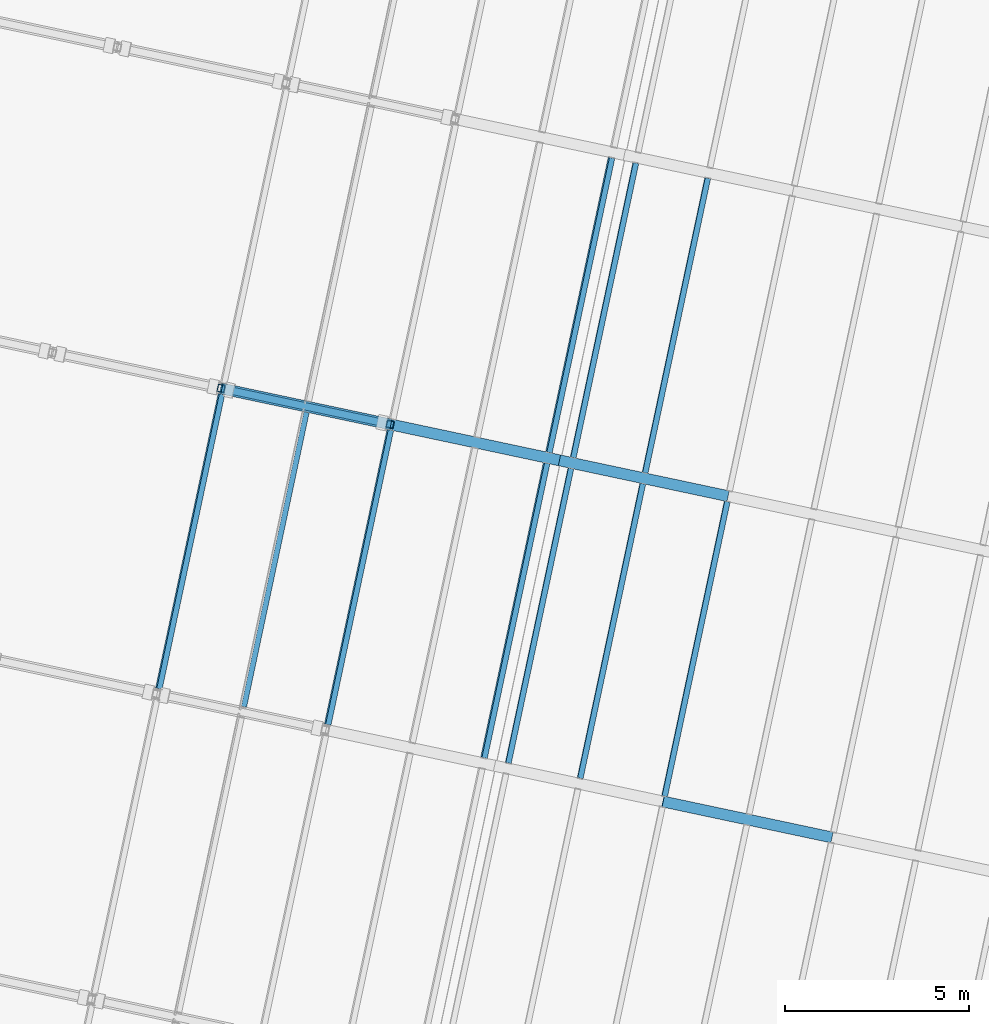
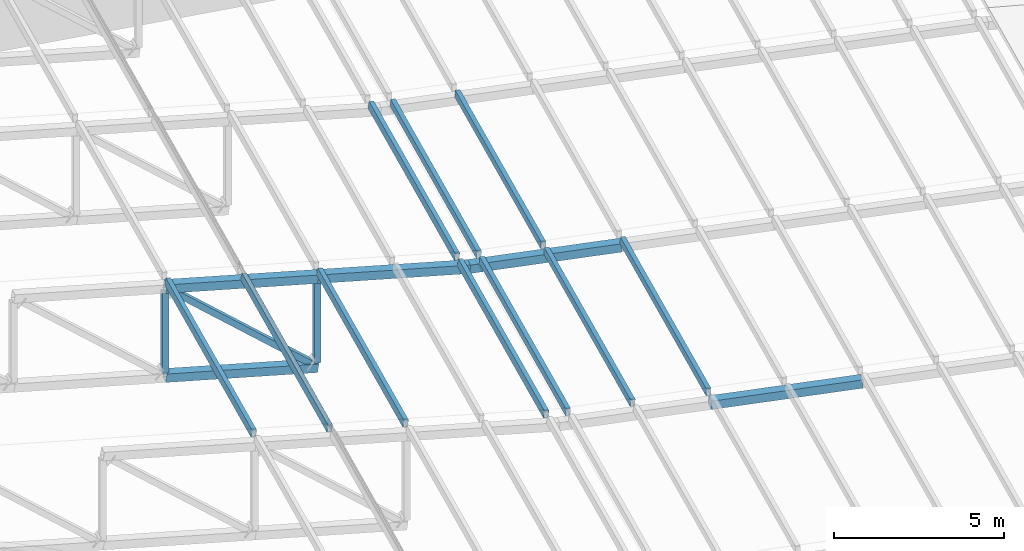
# One storey, part 53 of 196: 18 members.
"""IFC4 building model written with IfcOpenShell, lengths in metres."""

import ifcopenshell
import ifcopenshell.guid

model = None  # the IFC model being written
_history = None  # IfcOwnerHistory: only IFC2X3 demands one
_inside = {}  # id of a spatial element -> (the spatial element, [elements in it])
_under = {}  # id of a project, library or spatial element -> (it, [spatial elements below it])
_declared = {}  # id of a project -> (the project, [libraries it declares])
_typed = {}  # id of a type object -> (the type object, [elements of that type])
_made_of = {}  # id of a material, layer set ... -> (it, [elements and type objects made of it])


def new_model(schema):
    """Start an empty IFC model of exactly this schema.

    Asked for "IFC4X3", IfcOpenShell would pick the latest addendum, in which some entities
    have other attributes; the version numbers below select the first issue.
    IFC2X3 requires an IfcOwnerHistory on every rooted entity: one is made here for all.
    """
    global model, _history
    if schema == "IFC4X3":
        model = ifcopenshell.file(schema_version=(4, 3, 0, 0))
    else:
        model = ifcopenshell.file(schema=schema)
    _inside.clear()
    _under.clear()
    _declared.clear()
    _typed.clear()
    _made_of.clear()
    _history = None
    if model.schema == "IFC2X3":
        org = make("IfcOrganization", Name="unknown")
        user = make(
            "IfcPersonAndOrganization",
            ThePerson=make("IfcPerson", FamilyName="unknown"),
            TheOrganization=org,
        )
        app = make(
            "IfcApplication",
            ApplicationDeveloper=org,
            Version="unknown",
            ApplicationFullName="unknown",
            ApplicationIdentifier="unknown",
        )
        _history = make(
            "IfcOwnerHistory",
            OwningUser=user,
            OwningApplication=app,
            ChangeAction="ADDED",
            CreationDate=0,
        )
    return model


def make(cls, **values):
    """One entity of the class cls with the attributes given. An attribute that is None is left unset."""
    return model.create_entity(
        cls, **{name: value for name, value in values.items() if value is not None}
    )


def rooted(cls, **values):
    """An entity with a GlobalId (a new one), such as an element, a storey or a relation."""
    return make(cls, GlobalId=ifcopenshell.guid.new(), OwnerHistory=_history, **values)


def si_unit(unit_type, name, prefix=None):
    """IfcSIUnit, for example si_unit("LENGTHUNIT", "METRE", prefix="MILLI")."""
    return make("IfcSIUnit", UnitType=unit_type, Prefix=prefix, Name=name)


def assignment(units):
    """IfcUnitAssignment: the units of a project."""
    return None if units is None else make("IfcUnitAssignment", Units=units)


def point(xyz):
    """IfcCartesianPoint."""
    return None if xyz is None else make("IfcCartesianPoint", Coordinates=xyz)


def direction(xyz):
    """IfcDirection."""
    return None if xyz is None else make("IfcDirection", DirectionRatios=xyz)


def frame(location, z_axis=None, x_axis=None):
    """IfcAxis2Placement3D, a coordinate frame: its origin and axes. An axis left out is left unset."""
    return make(
        "IfcAxis2Placement3D",
        Location=point(location),
        Axis=direction(z_axis),
        RefDirection=direction(x_axis),
    )


def frame_2d(location, x_axis=None):
    """IfcAxis2Placement2D, a coordinate frame in the plane: its origin and x axis."""
    return make(
        "IfcAxis2Placement2D", Location=point(location), RefDirection=direction(x_axis)
    )


def origin():
    """The frame at (0, 0, 0) with its axes left unset."""
    return frame((0.0, 0.0, 0.0))


def origin_2d():
    """The frame at (0, 0) in the plane with its x axis left unset."""
    return frame_2d((0.0, 0.0))


def place(relative_to, where):
    """IfcLocalPlacement: puts the frame where relative to a parent placement (None: the world)."""
    return make(
        "IfcLocalPlacement", PlacementRelTo=relative_to, RelativePlacement=where
    )


def context(
    kind, dimensions, precision=None, world=None, true_north=None, identifier=None
):
    """IfcGeometricRepresentationContext, for example the 3D "Model" context."""
    return make(
        "IfcGeometricRepresentationContext",
        ContextIdentifier=identifier,
        ContextType=kind,
        CoordinateSpaceDimension=dimensions,
        Precision=precision,
        WorldCoordinateSystem=world,
        TrueNorth=true_north,
    )


def subcontext(parent, identifier, kind, view, scale=None):
    """IfcGeometricRepresentationSubContext, for example "Body" below "Model"."""
    return make(
        "IfcGeometricRepresentationSubContext",
        ContextIdentifier=identifier,
        ContextType=kind,
        ParentContext=parent,
        TargetScale=scale,
        TargetView=view,
    )


def project(units=None, contexts=None):
    """IfcProject with its units and contexts."""
    return rooted(
        "IfcProject",
        Name="project",
        RepresentationContexts=contexts,
        UnitsInContext=assignment(units),
    )


def spatial(cls, under=None, at=None, **own):
    """A site, building, storey or space (cls), placed at a placement, below another one or the project."""
    s = rooted(cls, ObjectPlacement=at, **own)
    if under is not None:
        _under.setdefault(under.id(), (under, []))[1].append(s)
    return s


def profile(cls, at=None, kind="AREA", **sizes):
    """A parametric profile (cls). Its sizes go by their IFC names, for example OverallWidth=200.0."""
    return make(cls, ProfileType=kind, Position=at, **sizes)


def hollow_rectangle(**sizes):
    """IfcRectangleHollowProfileDef."""
    return profile("IfcRectangleHollowProfileDef", **sizes)


def extrude(swept, where, along, depth):
    """IfcExtrudedAreaSolid: the profile swept, set in the frame where, extruded along a direction by depth."""
    return make(
        "IfcExtrudedAreaSolid",
        SweptArea=swept,
        Position=where,
        ExtrudedDirection=direction(along),
        Depth=depth,
    )


def shape(context_of_items, identifier, shape_type, items):
    """IfcShapeRepresentation: the items that make up one representation, for example the "Body"."""
    return make(
        "IfcShapeRepresentation",
        ContextOfItems=context_of_items,
        RepresentationIdentifier=identifier,
        RepresentationType=shape_type,
        Items=items,
    )


def material(Name=None, Category=None):
    """IfcMaterial."""
    return make("IfcMaterial", Name=Name, Category=Category)


def material_profile(
    of_material, cross_section, Name=None, Category=None, Priority=None
):
    """IfcMaterialProfile: a cross section and its material."""
    return make(
        "IfcMaterialProfile",
        Name=Name,
        Material=of_material,
        Profile=cross_section,
        Priority=Priority,
        Category=Category,
    )


def profile_set(profiles, Name=None, composite=None):
    """IfcMaterialProfileSet."""
    return make(
        "IfcMaterialProfileSet",
        Name=Name,
        MaterialProfiles=profiles,
        CompositeProfile=composite,
    )


def made_of(thing, what):
    """Note that an element or type object is made of a material, layer set ...; save() writes the relation."""
    if what is not None:
        _made_of.setdefault(what.id(), (what, []))[1].append(thing)
    return thing


def type_object(cls, material=None, **own):
    """A type object (cls), such as IfcWallType, which elements share."""
    return made_of(rooted(cls, **own), material)


def element(
    cls,
    number,
    at=None,
    inside=None,
    cuts=None,
    type_object=None,
    material=None,
    context=None,
    identifier="Body",
    shape_type=None,
    held_by="IfcProductDefinitionShape",
    body=None,
    shapes=None,
    **own,
):
    """One element of the class cls, such as IfcWall. Its Tag is "e" and its number.

    at: its placement. inside: the storey or other place that contains it. cuts: it is an
    opening in that element (IfcRelVoidsElement). A single representation is given by context,
    identifier, shape_type and body (its items); several are given by shapes. held_by: the class
    of the entity that holds the representations. save() writes the other relations.
    """
    e = rooted(cls, Tag="e%d" % number, ObjectPlacement=at, **own)
    if body is not None:
        shapes = [shape(context, identifier, shape_type, body)]
    if shapes is not None:
        e.Representation = make(held_by, Representations=shapes)
    if inside is not None:
        _inside.setdefault(inside.id(), (inside, []))[1].append(e)
    if cuts is not None:
        rooted(
            "IfcRelVoidsElement", RelatingBuildingElement=cuts, RelatedOpeningElement=e
        )
    if type_object is not None:
        _typed.setdefault(type_object.id(), (type_object, []))[1].append(e)
    return made_of(e, material)


def aggregate(whole, parts):
    """IfcRelAggregates: a whole, such as a stair, and the parts it consists of."""
    return rooted("IfcRelAggregates", RelatingObject=whole, RelatedObjects=parts)


def save(model, path):
    """Write the relations noted so far, then the file.

    IfcRelAggregates (storeys below a building ...), IfcRelContainedInSpatialStructure (elements
    in a storey), IfcRelDefinesByType, IfcRelAssociatesMaterial and IfcRelDeclares: one each for
    every whole, place, type object, material and project.
    """
    for whole, parts in _under.values():
        aggregate(whole, parts)
    for where, things in _inside.values():
        rooted(
            "IfcRelContainedInSpatialStructure",
            RelatedElements=things,
            RelatingStructure=where,
        )
    for kind, things in _typed.values():
        rooted("IfcRelDefinesByType", RelatedObjects=things, RelatingType=kind)
    for what, things in _made_of.values():
        rooted("IfcRelAssociatesMaterial", RelatedObjects=things, RelatingMaterial=what)
    for by, libraries in _declared.values():
        rooted("IfcRelDeclares", RelatingContext=by, RelatedDefinitions=libraries)
    model.write(path)


model = new_model("IFC4")

# Units and contexts
model_context = context("Model", 3, precision=1e-05, world=origin(), true_north=direction((0.0, 1.0)))
body_context = subcontext(model_context, "Body", "Model", "MODEL_VIEW")
ifc_project = project(units=[si_unit("LENGTHUNIT", "METRE"), si_unit("AREAUNIT", "SQUARE_METRE"), si_unit("VOLUMEUNIT", "CUBIC_METRE"), si_unit("PLANEANGLEUNIT", "RADIAN"), si_unit("MASSUNIT", "GRAM", prefix="KILO")], contexts=[model_context])

# Site, building, storey
site_placement = place(None, origin())
site = spatial("IfcSite", under=ifc_project, at=site_placement, CompositionType="ELEMENT")
building_placement = place(site_placement, origin())
building = spatial("IfcBuilding", under=site, at=building_placement, Name="Okhra Congress Centre", CompositionType="ELEMENT")
storey_placement = place(building_placement, frame((0.0, 0.0, 12.0)))
storey = spatial("IfcBuildingStorey", under=building, at=storey_placement, Name="L02", CompositionType="ELEMENT", Elevation=12.0)

# Members
ifc_material = material(Name="Steel S355J2", Category="steel")
ifc_material_profile_1 = material_profile(ifc_material, hollow_rectangle(XDim=0.14990234375, YDim=0.25, WallThickness=0.008056640625, at=origin_2d()), Name="RHS 250x150x8")
ifc_profile_set_1 = profile_set([ifc_material_profile_1], Name="Steel S355J2")
member_type_1 = type_object("IfcMemberType", Name="Steel roof purlin RHS 250x150x8", PredefinedType="PURLIN", material=ifc_profile_set_1)
member_1_placement = place(storey_placement, frame((212.747314453125, 110.487060546875, 4.537109375), z_axis=(0.207930682682, 0.978143563696, 0.0), x_axis=(-0.968624337773, 0.205907115572, 0.13917310096)))
element("IfcMember", 1, at=member_1_placement, inside=storey, type_object=member_type_1, Name="Roof purlin 3.5", PredefinedType="PURLIN", context=body_context, shape_type="SweptSolid", body=[
    extrude(hollow_rectangle(XDim=0.14990234375, YDim=0.25, WallThickness=0.008056640625, at=origin_2d()), origin(), (0.0, 0.0, 1.0), 8.2001953125),
])
for number, where, z_axis, x_axis, name in (
    (2, (215.046142578125, 109.99853515625, 4.206787109375), (0.207908251916, 0.978148331689, 0.0), (-0.968629059364, 0.2058849031, 0.13917310096), "Roof purlin 3.6"),
    (3, (217.3447265625, 109.510009765625, 3.87646484375), (0.207908251916, 0.978148331689, 0.0), (-0.968629059364, 0.2058849031, 0.13917310096), "Roof purlin 3.7"),
    (4, (221.599609375, 108.60546875, 3.26513671875), (0.207908251916, 0.978148331689, 0.0), (-0.968629059364, 0.2058849031, 0.13917310096), "Roof purlin 3.9"),
):
    element("IfcMember", number, at=place(storey_placement, frame(where, z_axis=z_axis, x_axis=x_axis)), inside=storey, type_object=member_type_1, Name=name, PredefinedType="PURLIN", context=body_context, shape_type="SweptSolid", body=[
        extrude(hollow_rectangle(XDim=0.14990234375, YDim=0.25, WallThickness=0.008056640625, at=origin_2d()), origin(), (0.0, 0.0, 1.0), 8.199951171875),
    ])
member_2_placement = place(storey_placement, frame((222.260986328125, 108.46484375, 3.199951171875), z_axis=(0.2079021972, 0.978149618616, 0.0), x_axis=(-0.976809098559, 0.207617274464, 0.052335956243)))
element("IfcMember", 5, at=member_2_placement, inside=storey, type_object=member_type_1, Name="Roof purlin 3.10", PredefinedType="PURLIN", context=body_context, shape_type="SweptSolid", body=[
    extrude(hollow_rectangle(XDim=0.14990234375, YDim=0.25, WallThickness=0.008056640625, at=origin_2d()), origin(), (0.0, 0.0, 1.0), 8.2001953125),
])
for number, where, z_axis, x_axis, name in (
    (6, (224.21728515625, 108.049072265625, 3.094970703125), (0.207908251916, 0.978148331689, 0.0), (-0.976807813395, 0.207623320882, 0.052335956243), "Roof purlin 3.11"),
    (7, (226.515869140625, 107.560546875, 2.971923828125), (0.207908251916, 0.978148331689, 0.0), (-0.976807813395, 0.207623320882, 0.052335956243), "Roof purlin 3.12"),
):
    element("IfcMember", number, at=place(storey_placement, frame(where, z_axis=z_axis, x_axis=x_axis)), inside=storey, type_object=member_type_1, Name=name, PredefinedType="PURLIN", context=body_context, shape_type="SweptSolid", body=[
        extrude(hollow_rectangle(XDim=0.14990234375, YDim=0.25, WallThickness=0.008056640625, at=origin_2d()), origin(), (0.0, 0.0, 1.0), 8.199951171875),
    ])
member_3_placement = place(storey_placement, frame((223.366943359375, 116.919677734375, 3.26513671875), z_axis=(0.2079021972, 0.978149618616, 0.0), x_axis=(-0.968630333768, 0.205878907308, 0.13917310096)))
element("IfcMember", 8, at=member_3_placement, inside=storey, type_object=member_type_1, Name="Roof purlin 4.9", PredefinedType="PURLIN", context=body_context, shape_type="SweptSolid", body=[
    extrude(hollow_rectangle(XDim=0.14990234375, YDim=0.25, WallThickness=0.008056640625, at=origin_2d()), origin(), (0.0, 0.0, 1.0), 8.2001953125),
])
member_4_placement = place(storey_placement, frame((224.0283203125, 116.779296875, 3.199951171875), z_axis=(0.207908251916, 0.978148331689, 0.0), x_axis=(-0.976807813395, 0.207623320882, 0.052335956243)))
element("IfcMember", 9, at=member_4_placement, inside=storey, type_object=member_type_1, Name="Roof purlin 4.10", PredefinedType="PURLIN", context=body_context, shape_type="SweptSolid", body=[
    extrude(hollow_rectangle(XDim=0.14990234375, YDim=0.25, WallThickness=0.008056640625, at=origin_2d()), origin(), (0.0, 0.0, 1.0), 8.199951171875),
])
member_5_placement = place(storey_placement, frame((225.984619140625, 116.36328125, 3.094970703125), z_axis=(0.2079021972, 0.978149618616, 0.0), x_axis=(-0.976809098559, 0.207617274464, 0.052335956243)))
element("IfcMember", 10, at=member_5_placement, inside=storey, type_object=member_type_1, Name="Roof purlin 4.11", PredefinedType="PURLIN", context=body_context, shape_type="SweptSolid", body=[
    extrude(hollow_rectangle(XDim=0.14990234375, YDim=0.25, WallThickness=0.008056640625, at=origin_2d()), origin(), (0.0, 0.0, 1.0), 8.2001953125),
])
ifc_material_profile_2 = material_profile(ifc_material, hollow_rectangle(XDim=0.300048828125, YDim=0.300048828125, WallThickness=0.01611328125, at=origin_2d()), Name="RHS 300x300x16")
ifc_profile_set_2 = profile_set([ifc_material_profile_2], Name="Steel S355J2")
member_type_2 = type_object("IfcMemberType", Name="Steel truss chord RHS 300x300x16", PredefinedType="CHORD", material=ifc_profile_set_2)
member_6_placement = place(storey_placement, frame((226.470703125, 107.416748046875, 2.697265625), z_axis=(0.9768114081, -0.207604846267, -0.052342151395), x_axis=(0.20788981954, 0.978152249362, 0.0)))
element("IfcMember", 11, at=member_6_placement, inside=storey, type_object=member_type_2, Name="Hall truss 3 top chord 6", PredefinedType="CHORD", context=body_context, shape_type="SweptSolid", body=[
    extrude(hollow_rectangle(XDim=0.300048828125, YDim=0.300048828125, WallThickness=0.01611328125, at=origin_2d()), origin(), (0.0, 0.0, 1.0), 4.706298828125),
])
for number, where, z_axis, x_axis, name in (
    (12, (214.446044921875, 118.66259765625, 1.064697265625), (0.968629421706, -0.205865902584, -0.139198683757), (0.20788981954, 0.978152249362, 0.0), "Hall truss 4 bottom chord 3"),
    (13, (214.446044921875, 118.66259765625, 4.2646484375), (0.968636356355, -0.205867376428, -0.13914823919), (0.20788981954, 0.978152249362, 0.0), "Hall truss 4 top chord 3"),
):
    element("IfcMember", number, at=place(storey_placement, frame(where, z_axis=z_axis, x_axis=x_axis)), inside=storey, type_object=member_type_2, Name=name, PredefinedType="CHORD", context=body_context, shape_type="SweptSolid", body=[
        extrude(hollow_rectangle(XDim=0.300048828125, YDim=0.300048828125, WallThickness=0.01611328125, at=origin_2d()), origin(), (0.0, 0.0, 1.0), 4.74609375),
    ])
member_7_placement = place(storey_placement, frame((219.043212890625, 117.685546875, 3.604248046875), z_axis=(0.968622340481, -0.205904903029, -0.139190274194), x_axis=(0.207928955205, 0.978143930916, 0.0)))
element("IfcMember", 14, at=member_7_placement, inside=storey, type_object=member_type_2, Name="Hall truss 4 top chord 4", PredefinedType="CHORD", context=body_context, shape_type="SweptSolid", body=[
    extrude(hollow_rectangle(XDim=0.300048828125, YDim=0.300048828125, WallThickness=0.01611328125, at=origin_2d()), origin(), (0.0, 0.0, 1.0), 4.746337890625),
])
member_8_placement = place(storey_placement, frame((223.640625, 116.708251953125, 2.943603515625), z_axis=(0.976800887128, -0.207654484927, -0.052341587632), x_axis=(0.207939520185, 0.978141685005, 0.0)))
element("IfcMember", 15, at=member_8_placement, inside=storey, type_object=member_type_2, Name="Hall truss 4 top chord 5", PredefinedType="CHORD", context=body_context, shape_type="SweptSolid", body=[
    extrude(hollow_rectangle(XDim=0.300048828125, YDim=0.300048828125, WallThickness=0.01611328125, at=origin_2d()), origin(), (0.0, 0.0, 1.0), 4.706298828125),
])
ifc_material_profile_3 = material_profile(ifc_material, hollow_rectangle(XDim=0.199951171875, YDim=0.199951171875, WallThickness=0.010009765625, at=origin_2d()), Name="RHS 200x200x10 diagonal")
ifc_profile_set_3 = profile_set([ifc_material_profile_3], Name="Steel S355J2")
member_type_3 = type_object("IfcMemberType", Name="Steel truss diagonal RHS 200x200x10", PredefinedType="BRACE", material=ifc_profile_set_3)
member_9_placement = place(storey_placement, frame((214.669677734375, 118.614990234375, 4.076904296875), z_axis=(0.755850558635, -0.160649924604, -0.634729497295), x_axis=(0.207897982731, 0.978150514377, 0.0)))
element("IfcMember", 16, at=member_9_placement, inside=storey, type_object=member_type_3, Name="Hall truss 4 diagonal 3", PredefinedType="BRACE", context=body_context, shape_type="SweptSolid", body=[
    extrude(hollow_rectangle(XDim=0.199951171875, YDim=0.199951171875, WallThickness=0.010009765625, at=origin_2d()), origin(), (0.0, 0.0, 1.0), 5.49072265625),
])
ifc_material_profile_4 = material_profile(ifc_material, hollow_rectangle(XDim=0.199951171875, YDim=0.199951171875, WallThickness=0.010009765625, at=origin_2d()), Name="RHS 200x200x10")
ifc_profile_set_4 = profile_set([ifc_material_profile_4], Name="Steel S355J2")
member_type_4 = type_object("IfcMemberType", Name="Steel truss post RHS 200x200x10", PredefinedType="POST", material=ifc_profile_set_4)
member_10_placement = place(storey_placement, frame((214.446044921875, 118.66259765625, 1.216064453125), z_axis=(0.0, 0.0, 1.0), x_axis=(0.978147600734, -0.207911690818, 0.0)))
element("IfcMember", 17, at=member_10_placement, inside=storey, type_object=member_type_4, Name="Hall truss 4 post 3", PredefinedType="POST", context=body_context, shape_type="SweptSolid", body=[
    extrude(hollow_rectangle(XDim=0.199951171875, YDim=0.199951171875, WallThickness=0.010009765625, at=origin_2d()), origin(), (0.0, 0.0, 1.0), 2.897216796875),
])
member_11_placement = place(storey_placement, frame((219.043212890625, 117.685546875, 0.5556640625), z_axis=(0.0, 0.0, 1.0), x_axis=(0.978147600734, -0.207911690818, 0.0)))
element("IfcMember", 18, at=member_11_placement, inside=storey, type_object=member_type_4, Name="Hall truss 4 post 4", PredefinedType="POST", context=body_context, shape_type="SweptSolid", body=[
    extrude(hollow_rectangle(XDim=0.199951171875, YDim=0.199951171875, WallThickness=0.010009765625, at=origin_2d()), origin(), (0.0, 0.0, 1.0), 2.89697265625),
])

save(model, "model.ifc")
